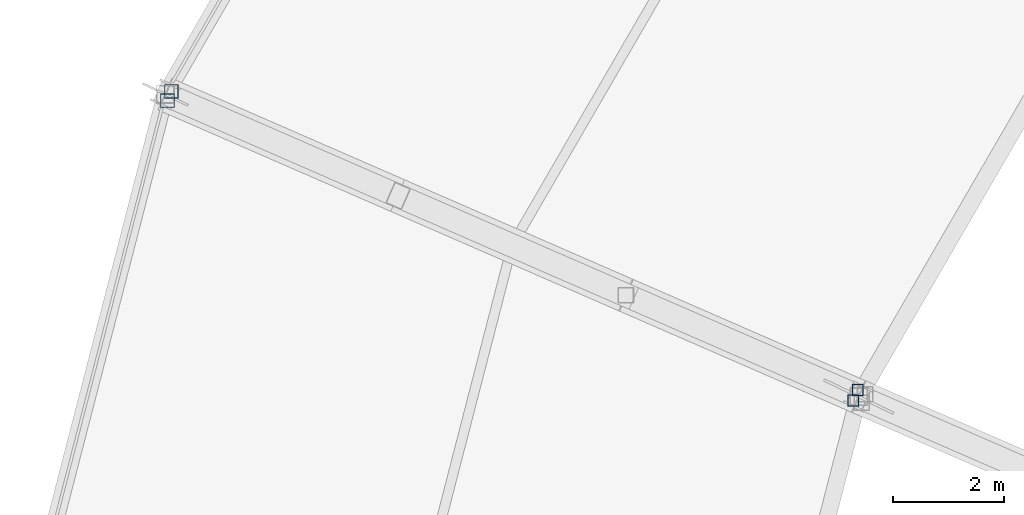
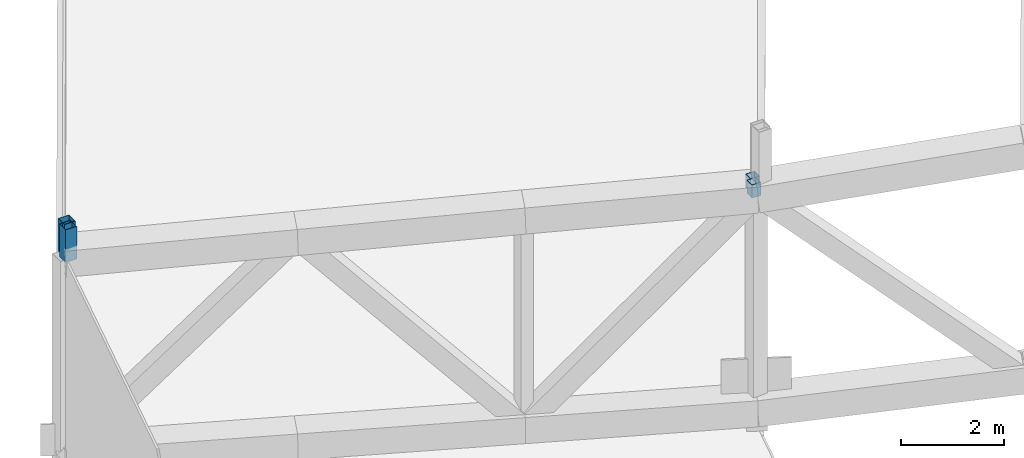
# One storey, part 109 of 162: 4 members.
"""IFC4 building model written with IfcOpenShell, lengths in metres."""

from ifc_helpers import new_model, si_unit, direction, frame, origin, origin_2d, place, context, subcontext, project, spatial, hollow_rectangle, extrude, material, material_profile, profile_set, type_object, element, save


model = new_model("IFC4")

# Units and contexts
model_context = context("Model", 3, precision=1e-05, world=origin(), true_north=direction((0.0, 1.0)))
body_context = subcontext(model_context, "Body", "Model", "MODEL_VIEW")
ifc_project = project(units=[si_unit("LENGTHUNIT", "METRE"), si_unit("AREAUNIT", "SQUARE_METRE"), si_unit("VOLUMEUNIT", "CUBIC_METRE"), si_unit("PLANEANGLEUNIT", "RADIAN"), si_unit("MASSUNIT", "GRAM", prefix="KILO")], contexts=[model_context])

# Site, building, storey
site_placement = place(None, origin())
site = spatial("IfcSite", under=ifc_project, at=site_placement, CompositionType="ELEMENT")
building_placement = place(site_placement, origin())
building = spatial("IfcBuilding", under=site, at=building_placement, Name="Kazemori Nagisa Stadium", CompositionType="ELEMENT")
storey_placement = place(building_placement, frame((0.0, 0.0, 36.719970703125)))
storey = spatial("IfcBuildingStorey", under=building, at=storey_placement, Name="RF", CompositionType="ELEMENT", Elevation=36.719970703125)

# Members
ifc_material = material(Name="Steel STKR490", Category="steel")
ifc_material_profile_1 = material_profile(ifc_material, hollow_rectangle(XDim=0.25, YDim=0.25, WallThickness=0.011962890625, at=origin_2d()), Name="SHS-250x250x12")
ifc_profile_set_1 = profile_set([ifc_material_profile_1], Name="Steel STKR490")
member_type_1 = type_object("IfcMemberType", Name="Member_ST-SHS250", PredefinedType="STUD", material=ifc_profile_set_1)
for number, where, z_axis, x_axis, name in (
    (1, (34.221923828125, 140.803955078125, 5.10009765625), (0.0, 0.0, 1.0), (1.0, 0.0, 0.0), "Canopy bearing stool B12-outer-2"),
    (2, (34.153076171875, 140.6357421875, 5.10009765625), (0.0, 0.0, 1.0), (1.0, 0.0, 0.0), "Canopy bearing stool B13-outer-1"),
):
    element("IfcMember", number, at=place(storey_placement, frame(where, z_axis=z_axis, x_axis=x_axis)), inside=storey, type_object=member_type_1, Name=name, PredefinedType="STUD", context=body_context, shape_type="SweptSolid", body=[
        extrude(hollow_rectangle(XDim=0.25, YDim=0.25, WallThickness=0.011962890625, at=origin_2d()), origin(), (0.0, 0.0, 1.0), 0.77490234375),
    ])
ifc_material_profile_2 = material_profile(ifc_material, hollow_rectangle(XDim=0.199951171875, YDim=0.199951171875, WallThickness=0.009033203125, at=origin_2d()), Name="SHS-200x200x9")
ifc_profile_set_2 = profile_set([ifc_material_profile_2], Name="Steel STKR490")
member_type_2 = type_object("IfcMemberType", Name="Member_TS-SHS200", PredefinedType="STRUT", material=ifc_profile_set_2)
for number, where, z_axis, x_axis, name in (
    (3, (46.5439453125, 135.443603515625, 5.56005859375), (0.0, 0.0, 1.0), (1.0, 0.0, 0.0), "Canopy bearing stool B12-outer-3"),
    (4, (46.46240234375, 135.25341796875, 5.56005859375), (0.0, 0.0, 1.0), (1.0, 0.0, 0.0), "Canopy bearing stool B13-outer-4"),
):
    element("IfcMember", number, at=place(storey_placement, frame(where, z_axis=z_axis, x_axis=x_axis)), inside=storey, type_object=member_type_2, Name=name, PredefinedType="STRUT", context=body_context, shape_type="SweptSolid", body=[
        extrude(hollow_rectangle(XDim=0.199951171875, YDim=0.199951171875, WallThickness=0.009033203125, at=origin_2d()), origin(), (0.0, 0.0, 1.0), 0.31494140625),
    ])

save(model, "model.ifc")
